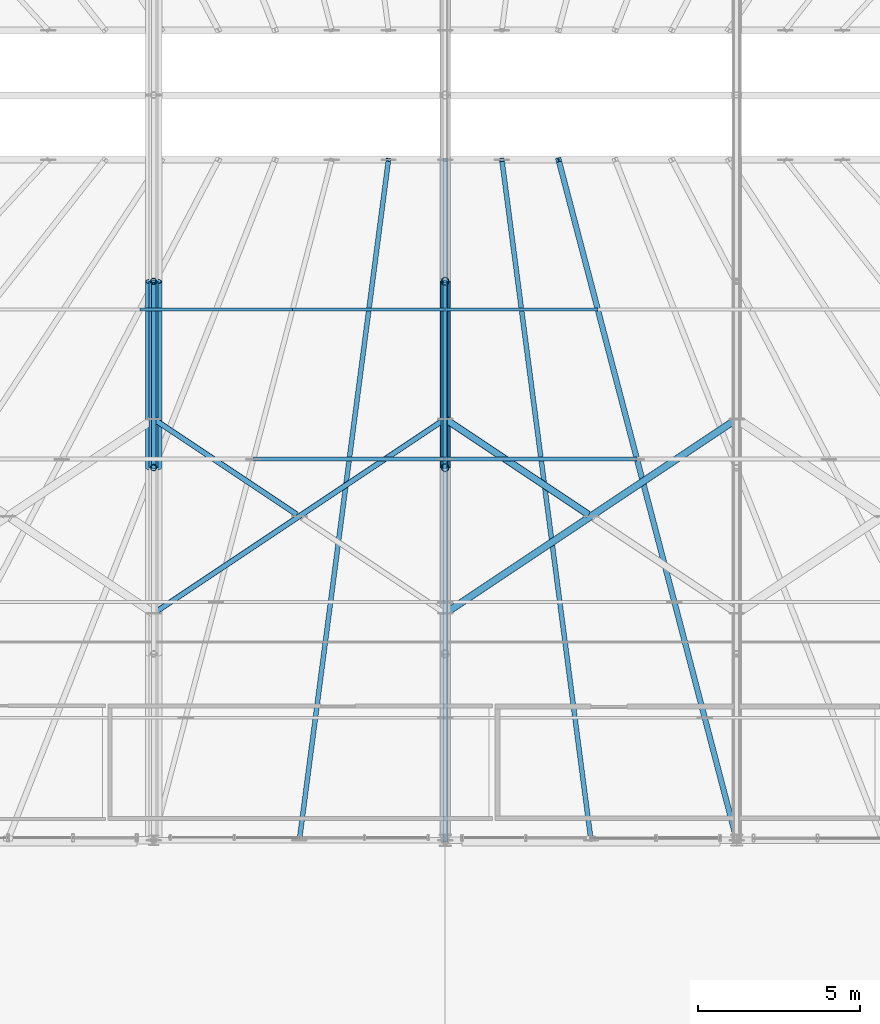
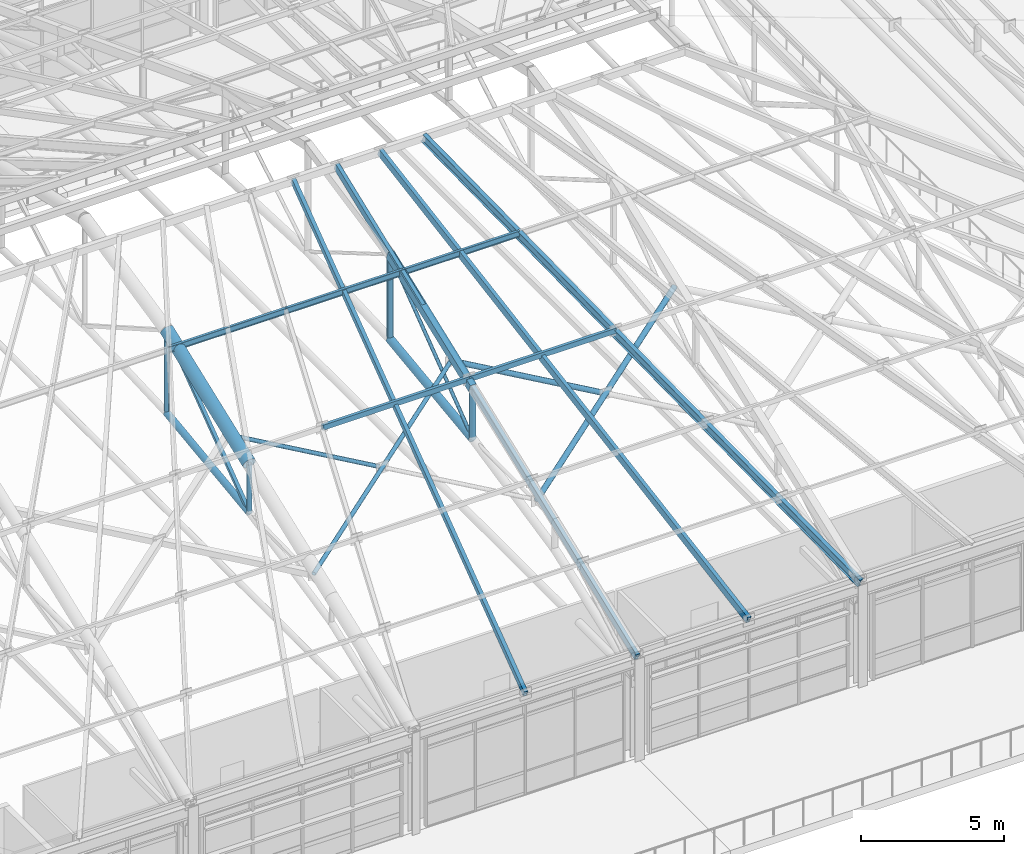
# One storey, part 28 of 168: 21 members, 2 beams.
"""IFC4 building model written with IfcOpenShell, lengths in metres."""

from ifc_helpers import new_model, si_unit, direction, frame, origin, origin_2d, place, context, subcontext, project, spatial, hollow_rectangle, hollow_circle, i_section, extrude, material, material_profile, profile_set, type_object, element, save


model = new_model("IFC4")

# Units and contexts
model_context = context("Model", 3, precision=1e-05, world=origin(), true_north=direction((0.0, 1.0)))
body_context = subcontext(model_context, "Body", "Model", "MODEL_VIEW")
ifc_project = project(units=[si_unit("LENGTHUNIT", "METRE"), si_unit("AREAUNIT", "SQUARE_METRE"), si_unit("VOLUMEUNIT", "CUBIC_METRE"), si_unit("PLANEANGLEUNIT", "RADIAN"), si_unit("MASSUNIT", "GRAM", prefix="KILO"), si_unit("THERMODYNAMICTEMPERATUREUNIT", "KELVIN"), si_unit("POWERUNIT", "WATT")], contexts=[model_context])

# Site, building, storey
site_placement = place(None, origin())
site = spatial("IfcSite", under=ifc_project, at=site_placement, CompositionType="ELEMENT")
building_placement = place(site_placement, origin())
building = spatial("IfcBuilding", under=site, at=building_placement, Name="Tepalcoro Natatorium and Aquatics Centre", CompositionType="ELEMENT")
storey_placement = place(building_placement, frame((0.0, 0.0, 10.199951171875)))
storey = spatial("IfcBuildingStorey", under=building, at=storey_placement, Name="L02", CompositionType="ELEMENT", Elevation=10.199951171875)

# Beams
ifc_material_1 = material(Name="Terracotta Painted Hollow Steel ASTM A500 Grade C (Fy 345 MPa)", Category="masonry")
ifc_material_profile_1 = material_profile(ifc_material_1, hollow_circle(Radius=0.25390625, WallThickness=0.02001953125, at=origin_2d()), Name="CHS508X20")
ifc_profile_set_1 = profile_set([ifc_material_profile_1], Name="Terracotta Painted Hollow Steel ASTM A500 Grade C (Fy 345 MPa)")
beam_type_1 = type_object("IfcBeamType", Name="AC_CHS508x20", PredefinedType="USERDEFINED", material=ifc_profile_set_1)
beam_1_placement = place(storey_placement, frame((80.0, 24.5, 8.738037109375), z_axis=(0.0, 0.93419963938, 0.356750660521), x_axis=(-1.0, 0.0, 0.0)))
element("IfcBeam", 1, at=beam_1_placement, inside=storey, type_object=beam_type_1, Name="V1 Arched Truss Top Chord 4", ObjectType="ARCH CHORD", PredefinedType="USERDEFINED", context=body_context, shape_type="SweptSolid", body=[
    extrude(hollow_circle(Radius=0.25390625, WallThickness=0.02001953125, at=origin_2d()), origin(), (0.0, 0.0, 1.0), 6.155029296875),
])
ifc_material_profile_2 = material_profile(ifc_material_1, hollow_rectangle(XDim=0.25, YDim=0.35009765625, WallThickness=0.01611328125, at=origin_2d()), Name="HSS350X250X16")
ifc_profile_set_2 = profile_set([ifc_material_profile_2], Name="Terracotta Painted Hollow Steel ASTM A500 Grade C (Fy 345 MPa)")
beam_type_2 = type_object("IfcBeamType", Name="AC_HSS350x250x16", PredefinedType="USERDEFINED", material=ifc_profile_set_2)
beam_2_placement = place(storey_placement, frame((89.0, 24.5, 8.81689453125), z_axis=(0.0, 0.934186419385, 0.356785276935), x_axis=(-1.0, 0.0, 0.0)))
element("IfcBeam", 2, at=beam_2_placement, inside=storey, type_object=beam_type_2, Name="V1 Arched Truss Top Chord 5", ObjectType="ARCH CHORD", PredefinedType="USERDEFINED", context=body_context, shape_type="SweptSolid", body=[
    extrude(hollow_rectangle(XDim=0.25, YDim=0.35009765625, WallThickness=0.01611328125, at=origin_2d()), origin(), (0.0, 0.0, 1.0), 6.155029296875),
])

# Members
ifc_material_2 = material(Name="Hollow Steel ASTM A500 Grade C (Fy 345 MPa)", Category="steel")
ifc_material_profile_3 = material_profile(ifc_material_2, hollow_circle(Radius=0.083984375, WallThickness=0.010009765625, at=origin_2d()), Name="CHS168X10")
ifc_profile_set_3 = profile_set([ifc_material_profile_3], Name="Hollow Steel ASTM A500 Grade C (Fy 345 MPa)")
member_type_1 = type_object("IfcMemberType", Name="MB_BR_CHS168x10", PredefinedType="BRACE", material=ifc_profile_set_3)
member_1_placement = place(storey_placement, frame((80.0, 20.0, 6.768310546875), z_axis=(0.813984840573, 0.542656560382, 0.207249937978), x_axis=(-0.554700196225, 0.832050294338, 0.0)))
element("IfcMember", 3, at=member_1_placement, inside=storey, type_object=member_type_1, Name="V1 Pyramid Roof Wind Brace", PredefinedType="BRACE", context=body_context, shape_type="SweptSolid", body=[
    extrude(hollow_circle(Radius=0.083984375, WallThickness=0.010009765625, at=origin_2d()), origin(), (0.0, 0.0, 1.0), 11.056640625),
])
member_2_placement = place(storey_placement, frame((84.410400390625, 23.059814453125, 7.936767578125), z_axis=(-0.813988111584, 0.54264372144, 0.20727070652), x_axis=(-0.55468956716, -0.832057380283, 0.0)))
element("IfcMember", 4, at=member_2_placement, inside=storey, type_object=member_type_1, Name="V1 Pyramid Roof Split Wind Brace", PredefinedType="BRACE", context=body_context, shape_type="SweptSolid", body=[
    extrude(hollow_circle(Radius=0.083984375, WallThickness=0.010009765625, at=origin_2d()), origin(), (0.0, 0.0, 1.0), 5.418212890625),
])
ifc_material_profile_4 = material_profile(ifc_material_2, hollow_circle(Radius=0.109619140625, WallThickness=0.011962890625, at=origin_2d()), Name="CHS219X12")
ifc_profile_set_4 = profile_set([ifc_material_profile_4], Name="Hollow Steel ASTM A500 Grade C (Fy 345 MPa)")
member_type_2 = type_object("IfcMemberType", Name="MB_BR_CHS219x12", PredefinedType="BRACE", material=ifc_profile_set_4)
member_3_placement = place(storey_placement, frame((89.0, 20.0, 6.768310546875), z_axis=(0.813984840573, 0.542656560382, 0.207249937978), x_axis=(-0.554700196225, 0.832050294338, 0.0)))
element("IfcMember", 5, at=member_3_placement, inside=storey, type_object=member_type_2, Name="V1 Pyramid Roof Wind Brace", PredefinedType="BRACE", context=body_context, shape_type="SweptSolid", body=[
    extrude(hollow_circle(Radius=0.109619140625, WallThickness=0.011962890625, at=origin_2d()), origin(), (0.0, 0.0, 1.0), 11.056640625),
])
member_4_placement = place(storey_placement, frame((93.410400390625, 23.059814453125, 7.936767578125), z_axis=(-0.813988111584, 0.54264372144, 0.20727070652), x_axis=(-0.55468956716, -0.832057380283, 0.0)))
element("IfcMember", 6, at=member_4_placement, inside=storey, type_object=member_type_2, Name="V1 Pyramid Roof Split Wind Brace", PredefinedType="BRACE", context=body_context, shape_type="SweptSolid", body=[
    extrude(hollow_circle(Radius=0.109619140625, WallThickness=0.011962890625, at=origin_2d()), origin(), (0.0, 0.0, 1.0), 5.418212890625),
])
ifc_material_profile_5 = material_profile(ifc_material_1, hollow_circle(Radius=0.136474609375, WallThickness=0.01611328125, at=origin_2d()), Name="CHS273X16")
ifc_profile_set_5 = profile_set([ifc_material_profile_5], Name="Terracotta Painted Hollow Steel ASTM A500 Grade C (Fy 345 MPa)")
member_type_3 = type_object("IfcMemberType", Name="MB_CH_CHS273x16", PredefinedType="CHORD", material=ifc_profile_set_5)
member_5_placement = place(storey_placement, frame((80.0, 24.5, 6.66259765625), z_axis=(0.0, 0.991809731939, 0.127724138798), x_axis=(-1.0, 0.0, 0.0)))
element("IfcMember", 7, at=member_5_placement, inside=storey, type_object=member_type_3, Name="V1 Arched Truss Bottom Chord 4", PredefinedType="CHORD", context=body_context, shape_type="SweptSolid", body=[
    extrude(hollow_circle(Radius=0.136474609375, WallThickness=0.01611328125, at=origin_2d()), origin(), (0.0, 0.0, 1.0), 5.79736328125),
])
ifc_material_profile_6 = material_profile(ifc_material_1, hollow_circle(Radius=0.162109375, WallThickness=0.013916015625, at=origin_2d()), Name="CHS324X14")
ifc_profile_set_6 = profile_set([ifc_material_profile_6], Name="Terracotta Painted Hollow Steel ASTM A500 Grade C (Fy 345 MPa)")
member_type_4 = type_object("IfcMemberType", Name="MB_CH_CHS324x14", PredefinedType="CHORD", material=ifc_profile_set_6)
member_6_placement = place(storey_placement, frame((89.0, 24.5, 6.66259765625), z_axis=(0.0, 0.991809731939, 0.127724138798), x_axis=(-1.0, 0.0, 0.0)))
element("IfcMember", 8, at=member_6_placement, inside=storey, type_object=member_type_4, Name="V1 Arched Truss Bottom Chord 5", PredefinedType="CHORD", context=body_context, shape_type="SweptSolid", body=[
    extrude(hollow_circle(Radius=0.162109375, WallThickness=0.013916015625, at=origin_2d()), origin(), (0.0, 0.0, 1.0), 5.79736328125),
])
ifc_material_profile_7 = material_profile(ifc_material_2, hollow_rectangle(XDim=0.1201171875, YDim=0.219970703125, WallThickness=0.010009765625, at=origin_2d()), Name="HSS220X120X10")
ifc_profile_set_7 = profile_set([ifc_material_profile_7], Name="Hollow Steel ASTM A500 Grade C (Fy 345 MPa)")
member_type_5 = type_object("IfcMemberType", Name="MB_PR_HSS220x120x10", PredefinedType="PURLIN", material=ifc_profile_set_7)
for number, where, z_axis, x_axis, name in (
    (9, (83.080078125, 24.760009765625, 9.05419921875), (1.0, 0.0, 0.0), (0.0, 1.0, 0.0), "Pyramid Horizontal Purlin South"),
    (10, (89.0, 24.760009765625, 9.05419921875), (1.0, 0.0, 0.0), (0.0, 1.0, 0.0), "Pyramid Horizontal Purlin South"),
):
    element("IfcMember", number, at=place(storey_placement, frame(where, z_axis=z_axis, x_axis=x_axis)), inside=storey, type_object=member_type_5, Name=name, PredefinedType="PURLIN", context=body_context, shape_type="SweptSolid", body=[
        extrude(hollow_rectangle(XDim=0.1201171875, YDim=0.219970703125, WallThickness=0.010009765625, at=origin_2d()), origin(), (0.0, 0.0, 1.0), 5.919921875),
    ])
ifc_material_3 = material(Name="Steel ASTM A992 Grade 50 (Fy 345 MPa)", Category="steel")
ifc_material_profile_8 = material_profile(ifc_material_3, i_section(OverallWidth=0.10205078125, OverallDepth=0.259033203125, WebThickness=0.006103515625, FlangeThickness=0.010009765625, FilletRadius=0.013916015625, at=origin_2d()), Name="W10X19")
ifc_profile_set_8 = profile_set([ifc_material_profile_8], Name="Steel ASTM A992 Grade 50 (Fy 345 MPa)")
member_type_6 = type_object("IfcMemberType", Name="MB_PR_W10x19", PredefinedType="PURLIN", material=ifc_profile_set_8)
for number, where, z_axis, x_axis, name in (
    (11, (79.580078125, 29.3798828125, 10.799072265625), (1.0, 0.0, 0.0), (0.0, 1.0, 0.0), "Pyramid Horizontal Purlin South"),
    (12, (84.2900390625, 29.3798828125, 10.799072265625), (1.0, 0.0, 0.0), (0.0, 1.0, 0.0), "Pyramid Horizontal Purlin South"),
    (13, (89.0, 29.3798828125, 10.799072265625), (1.0, 0.0, 0.0), (0.0, 1.0, 0.0), "Pyramid Horizontal Purlin South"),
):
    element("IfcMember", number, at=place(storey_placement, frame(where, z_axis=z_axis, x_axis=x_axis)), inside=storey, type_object=member_type_6, Name=name, PredefinedType="PURLIN", context=body_context, shape_type="SweptSolid", body=[
        extrude(i_section(OverallWidth=0.10205078125, OverallDepth=0.259033203125, WebThickness=0.006103515625, FlangeThickness=0.010009765625, FilletRadius=0.013916015625, at=origin_2d()), origin(), (0.0, 0.0, 1.0), 4.7099609375),
    ])
ifc_material_profile_9 = material_profile(ifc_material_1, hollow_circle(Radius=0.096923828125, WallThickness=0.010009765625, at=origin_2d()), Name="CHS194X10")
ifc_profile_set_9 = profile_set([ifc_material_profile_9], Name="Terracotta Painted Hollow Steel ASTM A500 Grade C (Fy 345 MPa)")
member_type_7 = type_object("IfcMemberType", Name="MB_PS_CHS194x10", PredefinedType="POST", material=ifc_profile_set_9)
member_7_placement = place(storey_placement, frame((80.0, 24.5, 6.66259765625), z_axis=(0.0, 0.0, 1.0), x_axis=(1.0, 0.0, 0.0)))
element("IfcMember", 14, at=member_7_placement, inside=storey, type_object=member_type_7, Name="V1 Arched Truss Vertical Post 4", PredefinedType="POST", context=body_context, shape_type="SweptSolid", body=[
    extrude(hollow_circle(Radius=0.096923828125, WallThickness=0.010009765625, at=origin_2d()), origin(), (0.0, 0.0, 1.0), 2.075439453125),
])
member_8_placement = place(storey_placement, frame((80.0, 30.25, 7.403076171875), z_axis=(0.0, 0.0, 1.0), x_axis=(1.0, 0.0, 0.0)))
element("IfcMember", 15, at=member_8_placement, inside=storey, type_object=member_type_7, Name="V1 Arched Truss Vertical Post 4", PredefinedType="POST", context=body_context, shape_type="SweptSolid", body=[
    extrude(hollow_circle(Radius=0.096923828125, WallThickness=0.010009765625, at=origin_2d()), origin(), (0.0, 0.0, 1.0), 3.53076171875),
])
ifc_material_profile_10 = material_profile(ifc_material_1, hollow_circle(Radius=0.1220703125, WallThickness=0.011962890625, at=origin_2d()), Name="CHS244X12")
ifc_profile_set_10 = profile_set([ifc_material_profile_10], Name="Terracotta Painted Hollow Steel ASTM A500 Grade C (Fy 345 MPa)")
member_type_8 = type_object("IfcMemberType", Name="MB_PS_CHS244x12", PredefinedType="POST", material=ifc_profile_set_10)
member_9_placement = place(storey_placement, frame((89.0, 24.5, 6.66259765625), z_axis=(0.0, 0.0, 1.0), x_axis=(1.0, 0.0, 0.0)))
element("IfcMember", 16, at=member_9_placement, inside=storey, type_object=member_type_8, Name="V1 Arched Truss Vertical Post 5", PredefinedType="POST", context=body_context, shape_type="SweptSolid", body=[
    extrude(hollow_circle(Radius=0.1220703125, WallThickness=0.011962890625, at=origin_2d()), origin(), (0.0, 0.0, 1.0), 2.154296875),
])
member_10_placement = place(storey_placement, frame((89.0, 30.25, 7.403076171875), z_axis=(0.0, 0.0, 1.0), x_axis=(1.0, 0.0, 0.0)))
element("IfcMember", 17, at=member_10_placement, inside=storey, type_object=member_type_8, Name="V1 Arched Truss Vertical Post 5", PredefinedType="POST", context=body_context, shape_type="SweptSolid", body=[
    extrude(hollow_circle(Radius=0.1220703125, WallThickness=0.011962890625, at=origin_2d()), origin(), (0.0, 0.0, 1.0), 3.60986328125),
])
ifc_material_profile_11 = material_profile(ifc_material_1, hollow_rectangle(XDim=0.14990234375, YDim=0.25, WallThickness=0.010009765625, at=origin_2d()), Name="HSS250X150X10")
ifc_profile_set_11 = profile_set([ifc_material_profile_11], Name="Terracotta Painted Hollow Steel ASTM A500 Grade C (Fy 345 MPa)")
member_type_9 = type_object("IfcMemberType", Name="MB_RF_HSS250x150x10", PredefinedType="RAFTER", material=ifc_profile_set_11)
member_11_placement = place(storey_placement, frame((84.5, 13.0, 4.320068359375), z_axis=(0.121075397608, 0.924575763548, 0.361248398686), x_axis=(-0.991534461322, 0.129843798506, 0.0)))
element("IfcMember", 18, at=member_11_placement, inside=storey, type_object=member_type_9, Name="Pyramid Skylight Rafter South", PredefinedType="RAFTER", context=body_context, shape_type="SweptSolid", body=[
    extrude(hollow_rectangle(XDim=0.14990234375, YDim=0.25, WallThickness=0.010009765625, at=origin_2d()), origin(), (0.0, 0.0, 1.0), 22.713134765625),
])
ifc_material_profile_12 = material_profile(ifc_material_1, hollow_rectangle(XDim=0.14990234375, YDim=0.300048828125, WallThickness=0.011962890625, at=origin_2d()), Name="HSS300X150X12")
ifc_profile_set_12 = profile_set([ifc_material_profile_12], Name="Terracotta Painted Hollow Steel ASTM A500 Grade C (Fy 345 MPa)")
member_type_10 = type_object("IfcMemberType", Name="MB_RF_HSS300x150x12", PredefinedType="RAFTER", material=ifc_profile_set_12)
member_12_placement = place(storey_placement, frame((89.0, 13.0, 4.320068359375), z_axis=(0.0, 0.931427987126, 0.363925685818), x_axis=(-1.0, 0.0, 0.0)))
element("IfcMember", 19, at=member_12_placement, inside=storey, type_object=member_type_10, Name="Pyramid Skylight Rafter South", PredefinedType="RAFTER", context=body_context, shape_type="SweptSolid", body=[
    extrude(hollow_rectangle(XDim=0.14990234375, YDim=0.300048828125, WallThickness=0.011962890625, at=origin_2d()), origin(), (0.0, 0.0, 1.0), 22.546142578125),
])
member_13_placement = place(storey_placement, frame((93.5, 13.0, 4.320068359375), z_axis=(-0.121075397608, 0.924575763548, 0.361248398686), x_axis=(-0.991534461322, -0.129843798506, 0.0)))
element("IfcMember", 20, at=member_13_placement, inside=storey, type_object=member_type_10, Name="Pyramid Skylight Rafter South", PredefinedType="RAFTER", context=body_context, shape_type="SweptSolid", body=[
    extrude(hollow_rectangle(XDim=0.14990234375, YDim=0.300048828125, WallThickness=0.011962890625, at=origin_2d()), origin(), (0.0, 0.0, 1.0), 22.713134765625),
])
ifc_material_profile_13 = material_profile(ifc_material_3, i_section(OverallWidth=0.1708984375, OverallDepth=0.35595703125, WebThickness=0.007080078125, FlangeThickness=0.011962890625, FilletRadius=0.013916015625, at=origin_2d()), Name="W14X34")
ifc_profile_set_13 = profile_set([ifc_material_profile_13], Name="Steel ASTM A992 Grade 50 (Fy 345 MPa)")
member_type_11 = type_object("IfcMemberType", Name="MB_RF_W14x34", PredefinedType="RAFTER", material=ifc_profile_set_13)
member_14_placement = place(storey_placement, frame((98.0, 13.0, 4.320068359375), z_axis=(-0.23699559669, 0.904892278272, 0.353557706568), x_axis=(-0.96737222338, -0.253359391838, 0.0)))
element("IfcMember", 21, at=member_14_placement, inside=storey, type_object=member_type_11, Name="Pyramid Skylight Rafter South", PredefinedType="RAFTER", context=body_context, shape_type="SweptSolid", body=[
    extrude(i_section(OverallWidth=0.1708984375, OverallDepth=0.35595703125, WebThickness=0.007080078125, FlangeThickness=0.011962890625, FilletRadius=0.013916015625, at=origin_2d()), origin(), (0.0, 0.0, 1.0), 23.207275390625),
])
ifc_material_profile_14 = material_profile(ifc_material_1, hollow_circle(Radius=0.070068359375, WallThickness=0.008056640625, at=origin_2d()), Name="CHS140X8")
ifc_profile_set_14 = profile_set([ifc_material_profile_14], Name="Terracotta Painted Hollow Steel ASTM A500 Grade C (Fy 345 MPa)")
member_type_12 = type_object("IfcMemberType", Name="MB_ST_CHS140x8", PredefinedType="STRUT", material=ifc_profile_set_14)
member_15_placement = place(storey_placement, frame((89.0, 24.5, 6.66259765625), z_axis=(0.0, 0.797473754897, 0.603353636146), x_axis=(-1.0, 0.0, 0.0)))
element("IfcMember", 22, at=member_15_placement, inside=storey, type_object=member_type_12, Name="V1 Arched Truss Web Diagonal 5", PredefinedType="STRUT", context=body_context, shape_type="SweptSolid", body=[
    extrude(hollow_circle(Radius=0.070068359375, WallThickness=0.008056640625, at=origin_2d()), origin(), (0.0, 0.0, 1.0), 7.210205078125),
])
ifc_material_profile_15 = material_profile(ifc_material_2, hollow_rectangle(XDim=0.139892578125, YDim=0.139892578125, WallThickness=0.008056640625, at=origin_2d()), Name="HSS140X140X8")
ifc_profile_set_15 = profile_set([ifc_material_profile_15], Name="Hollow Steel ASTM A500 Grade C (Fy 345 MPa)")
member_type_13 = type_object("IfcMemberType", Name="MB_ST_HSS140x140x8", PredefinedType="STRUT", material=ifc_profile_set_15)
member_16_placement = place(storey_placement, frame((80.0, 24.5, 6.66259765625), z_axis=(0.0, 0.80275643445, 0.596307057605), x_axis=(-1.0, 0.0, 0.0)))
element("IfcMember", 23, at=member_16_placement, inside=storey, type_object=member_type_13, Name="V1 Arched Truss Web Diagonal 4", PredefinedType="STRUT", context=body_context, shape_type="SweptSolid", body=[
    extrude(hollow_rectangle(XDim=0.139892578125, YDim=0.139892578125, WallThickness=0.008056640625, at=origin_2d()), origin(), (0.0, 0.0, 1.0), 7.162841796875),
])

save(model, "model.ifc")
